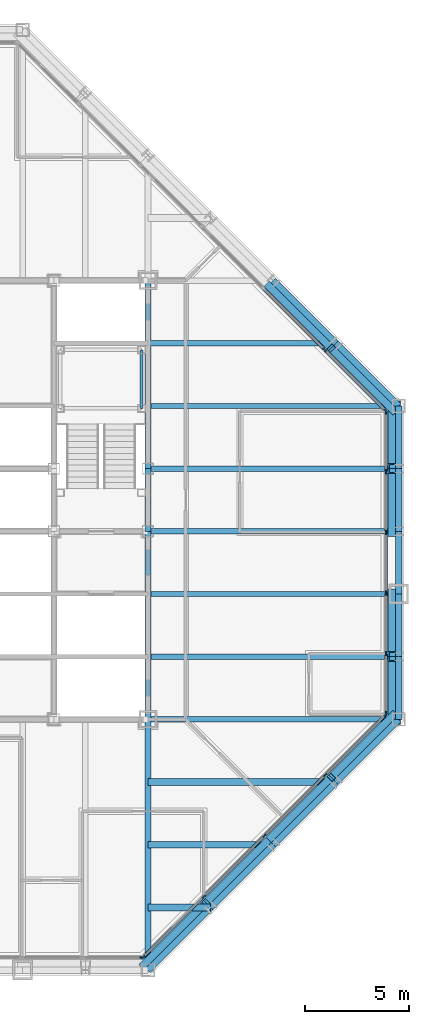
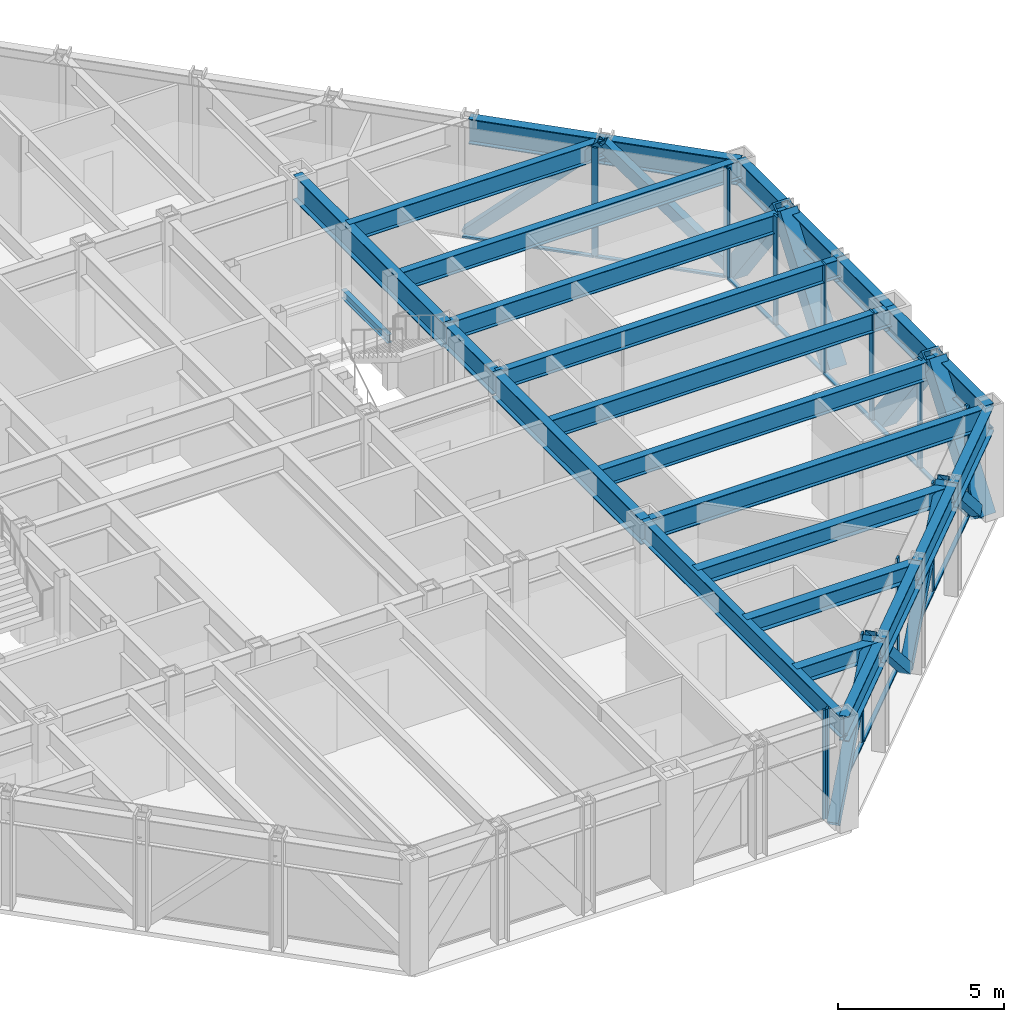
# One storey, part 7 of 16: 35 members, 26 beams, 4 elements without a shape of their own.
"""IFC4 building model written with IfcOpenShell, lengths in metres."""

from ifc_helpers import new_model, si_unit, direction, frame, origin, origin_2d, place, context, subcontext, project, spatial, rectangle, hollow_rectangle, i_section, extrude, material, layer, layer_set, material_profile, profile_set, type_object, element, aggregate, save


model = new_model("IFC4")

# Units and contexts
model_context = context("Model", 3, precision=1e-05, world=origin(), true_north=direction((0.0, 1.0)))
body_context = subcontext(model_context, "Body", "Model", "MODEL_VIEW")
ifc_project = project(units=[si_unit("LENGTHUNIT", "METRE"), si_unit("AREAUNIT", "SQUARE_METRE"), si_unit("VOLUMEUNIT", "CUBIC_METRE"), si_unit("PLANEANGLEUNIT", "RADIAN"), si_unit("MASSUNIT", "GRAM", prefix="KILO")], contexts=[model_context])

# Site, building, storey
site_placement = place(None, origin())
site = spatial("IfcSite", under=ifc_project, at=site_placement, CompositionType="ELEMENT")
building_placement = place(site_placement, origin())
building = spatial("IfcBuilding", under=site, at=building_placement, Name="Chuquiago Exchange Tower", CompositionType="ELEMENT")
storey_placement = place(building_placement, frame((0.0, 0.0, 239.10009765625)))
storey = spatial("IfcBuildingStorey", under=building, at=storey_placement, Name="L53", CompositionType="ELEMENT", Elevation=239.10009765625)

# Beams
ifc_material_1 = material(Name="Steel ASTM A992", Category="steel")
ifc_material_profile_1 = material_profile(ifc_material_1, i_section(OverallWidth=0.25390625, OverallDepth=0.683349609375, WebThickness=0.012451171875, FlangeThickness=0.018798828125, at=origin_2d()), Name="W27X94")
ifc_profile_set_1 = profile_set([ifc_material_profile_1], Name="Steel ASTM A992")
beam_type_1 = type_object("IfcBeamType", Name="B1 W27X94", PredefinedType="BEAM", material=ifc_profile_set_1)
for number, where, z_axis, x_axis, name in (
    (1, (33.0, 15.0, 3.6982421875), (1.0, 0.0, 0.0), (0.0, 1.0, 0.0), "FB-L54-infill-33_15-45_15-0"),
    (2, (33.0, 18.0, 3.6982421875), (1.0, 0.0, 0.0), (0.0, 1.0, 0.0), "FB-L54-infill-33_18-45_18-0"),
    (3, (33.0, 21.0, 3.6982421875), (1.0, 0.0, 0.0), (0.0, 1.0, 0.0), "FB-L54-infill-33_21-45_21-0"),
    (4, (33.0, 24.0, 3.6982421875), (1.0, 0.0, 0.0), (0.0, 1.0, 0.0), "FB-L54-infill-33_24-45_24-0"),
    (5, (33.0, 27.0, 3.6982421875), (1.0, 0.0, 0.0), (0.0, 1.0, 0.0), "FB-L54-infill-33_27-45_27-0"),
):
    element("IfcBeam", number, at=place(storey_placement, frame(where, z_axis=z_axis, x_axis=x_axis)), inside=storey, type_object=beam_type_1, Name=name, PredefinedType="BEAM", context=body_context, shape_type="SweptSolid", body=[
        extrude(i_section(OverallWidth=0.25390625, OverallDepth=0.683349609375, WebThickness=0.012451171875, FlangeThickness=0.018798828125, at=origin_2d()), origin(), (0.0, 0.0, 1.0), 12.0),
    ])
beam_1_placement = place(storey_placement, frame((33.0, 30.0, 3.6982421875), z_axis=(1.0, 0.0, 0.0), x_axis=(0.0, 1.0, 0.0)))
element("IfcBeam", 6, at=beam_1_placement, inside=storey, type_object=beam_type_1, Name="FB-L54-infill-33_30-42_30-0", PredefinedType="BEAM", context=body_context, shape_type="SweptSolid", body=[
    extrude(i_section(OverallWidth=0.25390625, OverallDepth=0.683349609375, WebThickness=0.012451171875, FlangeThickness=0.018798828125, at=origin_2d()), origin(), (0.0, 0.0, 1.0), 9.0),
])
ifc_material_2 = material(Name="Steel ASTM A992", Category="steel")
ifc_material_profile_2 = material_profile(ifc_material_2, i_section(OverallWidth=0.307373046875, OverallDepth=0.927001953125, WebThickness=0.01953125, FlangeThickness=0.031982421875, at=origin_2d()), Name="W36X194")
ifc_profile_set_2 = profile_set([ifc_material_profile_2], Name="Steel ASTM A992")
beam_type_2 = type_object("IfcBeamType", Name="B10 W36X194", PredefinedType="BEAM", material=ifc_profile_set_2)
for number, where, z_axis, x_axis, name in (
    (7, (33.0, 12.0, 3.576416015625), (0.0, 1.0, 0.0), (-1.0, 0.0, 0.0), "CB-L54-33_12-33_21"),
    (8, (33.0, 24.0, 3.576416015625), (0.0, 1.0, 0.0), (-1.0, 0.0, 0.0), "CB-L54-33_24-33_33"),
):
    element("IfcBeam", number, at=place(storey_placement, frame(where, z_axis=z_axis, x_axis=x_axis)), inside=storey, type_object=beam_type_2, Name=name, PredefinedType="BEAM", context=body_context, shape_type="SweptSolid", body=[
        extrude(i_section(OverallWidth=0.307373046875, OverallDepth=0.927001953125, WebThickness=0.01953125, FlangeThickness=0.031982421875, at=origin_2d()), origin(), (0.0, 0.0, 1.0), 9.0),
    ])
ifc_material_3 = material(Name="Steel ASTM A992", Category="steel")
ifc_material_profile_3 = material_profile(ifc_material_3, i_section(OverallWidth=0.3251953125, OverallDepth=0.612060546875, WebThickness=0.0126953125, FlangeThickness=0.01904296875, at=origin_2d()), Name="W24X104")
ifc_profile_set_3 = profile_set([ifc_material_profile_3], Name="Steel ASTM A992")
beam_type_3 = type_object("IfcBeamType", Name="B2 W24X104", PredefinedType="BEAM", material=ifc_profile_set_3)
beam_2_placement = place(storey_placement, frame((33.0, 3.0, 3.73388671875), z_axis=(1.0, 0.0, 0.0), x_axis=(0.0, 1.0, 0.0)))
element("IfcBeam", 9, at=beam_2_placement, inside=storey, type_object=beam_type_3, Name="FB-L54-corner-33_3-36_3-0", PredefinedType="BEAM", context=body_context, shape_type="SweptSolid", body=[
    extrude(i_section(OverallWidth=0.3251953125, OverallDepth=0.612060546875, WebThickness=0.0126953125, FlangeThickness=0.01904296875, at=origin_2d()), origin(), (0.0, 0.0, 1.0), 3.0),
])
beam_3_placement = place(storey_placement, frame((33.0, 6.0, 3.73388671875), z_axis=(1.0, 0.0, 0.0), x_axis=(0.0, 1.0, 0.0)))
element("IfcBeam", 10, at=beam_3_placement, inside=storey, type_object=beam_type_3, Name="FB-L54-corner-33_6-39_6-0", PredefinedType="BEAM", context=body_context, shape_type="SweptSolid", body=[
    extrude(i_section(OverallWidth=0.3251953125, OverallDepth=0.612060546875, WebThickness=0.0126953125, FlangeThickness=0.01904296875, at=origin_2d()), origin(), (0.0, 0.0, 1.0), 6.0),
])
beam_4_placement = place(storey_placement, frame((33.0, 9.0, 3.73388671875), z_axis=(1.0, 0.0, 0.0), x_axis=(0.0, 1.0, 0.0)))
element("IfcBeam", 11, at=beam_4_placement, inside=storey, type_object=beam_type_3, Name="FB-L54-corner-33_9-42_9-0", PredefinedType="BEAM", context=body_context, shape_type="SweptSolid", body=[
    extrude(i_section(OverallWidth=0.3251953125, OverallDepth=0.612060546875, WebThickness=0.0126953125, FlangeThickness=0.01904296875, at=origin_2d()), origin(), (0.0, 0.0, 1.0), 9.0),
])
ifc_material_4 = material(Name="Steel ASTM A992", Category="steel")
ifc_material_profile_4 = material_profile(ifc_material_4, i_section(OverallWidth=0.2919921875, OverallDepth=0.8583984375, WebThickness=0.01708984375, FlangeThickness=0.031005859375, at=origin_2d()), Name="W33X169")
ifc_profile_set_4 = profile_set([ifc_material_profile_4], Name="Steel ASTM A992")
beam_type_4 = type_object("IfcBeamType", Name="B3 W33X169", PredefinedType="BEAM", material=ifc_profile_set_4)
beam_5_placement = place(storey_placement, frame((33.0, 21.0, 3.610595703125), z_axis=(0.0, 1.0, 0.0), x_axis=(-1.0, 0.0, 0.0)))
element("IfcBeam", 12, at=beam_5_placement, inside=storey, type_object=beam_type_4, Name="CB-L54-33_21-33_24", PredefinedType="BEAM", context=body_context, shape_type="SweptSolid", body=[
    extrude(i_section(OverallWidth=0.2919921875, OverallDepth=0.8583984375, WebThickness=0.01708984375, FlangeThickness=0.031005859375, at=origin_2d()), origin(), (0.0, 0.0, 1.0), 3.0),
])

# Curtain wall, member
ifc_material_5 = material(Name="Aluminium curtain wall system", Category="aluminium")
ifc_layer_1 = layer(ifc_material_5, 0.22509765625)
ifc_layer_set_1 = layer_set([ifc_layer_1], Name="CW2 office curtain wall")
curtain_wall_type_1 = type_object("IfcCurtainWallType", Name="CW2 office curtain wall", PredefinedType="NOTDEFINED", material=ifc_layer_set_1)
curtain_wall_1_placement = place(storey_placement, origin())
curtain_wall_1 = element("IfcCurtainWall", 13, at=curtain_wall_1_placement, inside=storey, type_object=curtain_wall_type_1, Name="CW2 curtain wall L53", PredefinedType="NOTDEFINED")
ifc_material_6 = material(Name="Aluminium mullion, pale anodised", Category="aluminium")
ifc_material_profile_5 = material_profile(ifc_material_6, rectangle(XDim=0.06494140625, YDim=0.22509765625, at=origin_2d()), Name="AL 65x225")
ifc_profile_set_5 = profile_set([ifc_material_profile_5], Name="Aluminium mullion, pale anodised")
member_type_1 = type_object("IfcMemberType", Name="CW2-M mullion 65x225", PredefinedType="MULLION", material=ifc_profile_set_5)
member_1_placement = place(storey_placement, frame((32.718994140625, 0.60009765625, 0.0), z_axis=(0.0, 0.0, 1.0), x_axis=(0.0, 1.0, 0.0)))
member_1 = element("IfcMember", 14, at=member_1_placement, type_object=member_type_1, Name="CW2 mullion 6", PredefinedType="MULLION", context=body_context, shape_type="SweptSolid", body=[
    extrude(rectangle(XDim=0.06494140625, YDim=0.22509765625, at=origin_2d()), origin(), (0.0, 0.0, 1.0), 4.039794921875),
])
aggregate(curtain_wall_1, [member_1])

# Curtain wall, members
curtain_wall_2_placement = place(storey_placement, origin())
curtain_wall_2 = element("IfcCurtainWall", 15, at=curtain_wall_2_placement, inside=storey, type_object=curtain_wall_type_1, Name="CW2 curtain wall L53", PredefinedType="NOTDEFINED")
member_2_placement = place(storey_placement, frame((44.39990234375, 12.281005859375, 0.0), z_axis=(0.0, 0.0, 1.0), x_axis=(-1.0, 0.0, 0.0)))
member_2 = element("IfcMember", 16, at=member_2_placement, type_object=member_type_1, Name="CW2 mullion 1", PredefinedType="MULLION", context=body_context, shape_type="SweptSolid", body=[
    extrude(rectangle(XDim=0.06494140625, YDim=0.22509765625, at=origin_2d()), origin(), (0.0, 0.0, 1.0), 4.039794921875),
])
member_3_placement = place(storey_placement, frame((44.39990234375, 15.149169921875, 0.0), z_axis=(0.0, 0.0, 1.0), x_axis=(-1.0, 0.0, 0.0)))
member_3 = element("IfcMember", 17, at=member_3_placement, type_object=member_type_1, Name="CW2 mullion 2", PredefinedType="MULLION", context=body_context, shape_type="SweptSolid", body=[
    extrude(rectangle(XDim=0.06494140625, YDim=0.22509765625, at=origin_2d()), origin(), (0.0, 0.0, 1.0), 4.039794921875),
])
member_4_placement = place(storey_placement, frame((44.39990234375, 18.0498046875, 0.0), z_axis=(0.0, 0.0, 1.0), x_axis=(-1.0, 0.0, 0.0)))
member_4 = element("IfcMember", 18, at=member_4_placement, type_object=member_type_1, Name="CW2 mullion 3", PredefinedType="MULLION", context=body_context, shape_type="SweptSolid", body=[
    extrude(rectangle(XDim=0.06494140625, YDim=0.22509765625, at=origin_2d()), origin(), (0.0, 0.0, 1.0), 4.039794921875),
])
member_5_placement = place(storey_placement, frame((44.39990234375, 20.9501953125, 0.0), z_axis=(0.0, 0.0, 1.0), x_axis=(-1.0, 0.0, 0.0)))
member_5 = element("IfcMember", 19, at=member_5_placement, type_object=member_type_1, Name="CW2 mullion 4", PredefinedType="MULLION", context=body_context, shape_type="SweptSolid", body=[
    extrude(rectangle(XDim=0.06494140625, YDim=0.22509765625, at=origin_2d()), origin(), (0.0, 0.0, 1.0), 4.039794921875),
])
member_6_placement = place(storey_placement, frame((44.39990234375, 23.850830078125, 0.0), z_axis=(0.0, 0.0, 1.0), x_axis=(-1.0, 0.0, 0.0)))
member_6 = element("IfcMember", 20, at=member_6_placement, type_object=member_type_1, Name="CW2 mullion 5", PredefinedType="MULLION", context=body_context, shape_type="SweptSolid", body=[
    extrude(rectangle(XDim=0.06494140625, YDim=0.22509765625, at=origin_2d()), origin(), (0.0, 0.0, 1.0), 4.039794921875),
])
member_7_placement = place(storey_placement, frame((44.39990234375, 26.718994140625, 0.0), z_axis=(0.0, 0.0, 1.0), x_axis=(-1.0, 0.0, 0.0)))
member_7 = element("IfcMember", 21, at=member_7_placement, type_object=member_type_1, Name="CW2 mullion 6", PredefinedType="MULLION", context=body_context, shape_type="SweptSolid", body=[
    extrude(rectangle(XDim=0.06494140625, YDim=0.22509765625, at=origin_2d()), origin(), (0.0, 0.0, 1.0), 4.039794921875),
])
ifc_material_7 = material(Name="Aluminium transom, pale anodised", Category="aluminium")
ifc_material_profile_6 = material_profile(ifc_material_7, rectangle(XDim=0.139892578125, YDim=0.06494140625, at=origin_2d()), Name="AL 140x65")
ifc_profile_set_6 = profile_set([ifc_material_profile_6], Name="Aluminium transom, pale anodised")
member_type_2 = type_object("IfcMemberType", Name="CW2-T transom 65x140", PredefinedType="MULLION", material=ifc_profile_set_6)
member_8_placement = place(storey_placement, frame((44.39990234375, 12.3134765625, 0.032470703125), z_axis=(0.0, 1.0, 0.0), x_axis=(-1.0, 0.0, 0.0)))
member_8 = element("IfcMember", 22, at=member_8_placement, type_object=member_type_2, Name="CW2 transom 1.1", PredefinedType="MULLION", context=body_context, shape_type="SweptSolid", body=[
    extrude(rectangle(XDim=0.139892578125, YDim=0.06494140625, at=origin_2d()), origin(), (0.0, 0.0, 1.0), 2.80322265625),
])
member_9_placement = place(storey_placement, frame((44.39990234375, 15.181640625, 0.032470703125), z_axis=(0.0, 1.0, 0.0), x_axis=(-1.0, 0.0, 0.0)))
member_9 = element("IfcMember", 23, at=member_9_placement, type_object=member_type_2, Name="CW2 transom 2.1", PredefinedType="MULLION", context=body_context, shape_type="SweptSolid", body=[
    extrude(rectangle(XDim=0.139892578125, YDim=0.06494140625, at=origin_2d()), origin(), (0.0, 0.0, 1.0), 2.83544921875),
])
member_10_placement = place(storey_placement, frame((44.39990234375, 18.082275390625, 0.032470703125), z_axis=(0.0, 1.0, 0.0), x_axis=(-1.0, 0.0, 0.0)))
member_10 = element("IfcMember", 24, at=member_10_placement, type_object=member_type_2, Name="CW2 transom 3.1", PredefinedType="MULLION", context=body_context, shape_type="SweptSolid", body=[
    extrude(rectangle(XDim=0.139892578125, YDim=0.06494140625, at=origin_2d()), origin(), (0.0, 0.0, 1.0), 2.83544921875),
])
member_11_placement = place(storey_placement, frame((44.39990234375, 20.98291015625, 0.032470703125), z_axis=(0.0, 1.0, 0.0), x_axis=(-1.0, 0.0, 0.0)))
member_11 = element("IfcMember", 25, at=member_11_placement, type_object=member_type_2, Name="CW2 transom 4.1", PredefinedType="MULLION", context=body_context, shape_type="SweptSolid", body=[
    extrude(rectangle(XDim=0.139892578125, YDim=0.06494140625, at=origin_2d()), origin(), (0.0, 0.0, 1.0), 2.83544921875),
])
member_12_placement = place(storey_placement, frame((44.39990234375, 23.88330078125, 0.032470703125), z_axis=(0.0, 1.0, 0.0), x_axis=(-1.0, 0.0, 0.0)))
member_12 = element("IfcMember", 26, at=member_12_placement, type_object=member_type_2, Name="CW2 transom 5.1", PredefinedType="MULLION", context=body_context, shape_type="SweptSolid", body=[
    extrude(rectangle(XDim=0.139892578125, YDim=0.06494140625, at=origin_2d()), origin(), (0.0, 0.0, 1.0), 2.80322265625),
])
aggregate(curtain_wall_2, [member_2, member_3, member_4, member_5, member_6, member_7, member_8, member_9, member_10, member_11, member_12])

ifc_material_8 = material(Name="Aluminium curtain wall system", Category="aluminium")
ifc_layer_2 = layer(ifc_material_8, 0.199951171875)
ifc_layer_set_2 = layer_set([ifc_layer_2], Name="CW3 facet curtain wall")
curtain_wall_type_2 = type_object("IfcCurtainWallType", Name="CW3 facet curtain wall", PredefinedType="NOTDEFINED", material=ifc_layer_set_2)
curtain_wall_3_placement = place(storey_placement, origin())
curtain_wall_3 = element("IfcCurtainWall", 27, at=curtain_wall_3_placement, inside=storey, type_object=curtain_wall_type_2, Name="CW3 curtain wall L53", PredefinedType="NOTDEFINED")
ifc_material_9 = material(Name="Aluminium mullion, pale anodised", Category="aluminium")
ifc_material_profile_7 = material_profile(ifc_material_9, rectangle(XDim=0.06494140625, YDim=0.199951171875, at=origin_2d()), Name="AL 65x200")
ifc_profile_set_7 = profile_set([ifc_material_profile_7], Name="Aluminium mullion, pale anodised")
member_type_3 = type_object("IfcMemberType", Name="CW3-M mullion 65x200", PredefinedType="MULLION", material=ifc_profile_set_7)
member_13_placement = place(storey_placement, frame((32.7744140625, 0.623046875, 0.0), z_axis=(0.0, 0.0, 1.0), x_axis=(-0.707106781187, 0.707106781187, 0.0)))
member_13 = element("IfcMember", 28, at=member_13_placement, type_object=member_type_3, Name="CW3 mullion 1", PredefinedType="MULLION", context=body_context, shape_type="SweptSolid", body=[
    extrude(rectangle(XDim=0.06494140625, YDim=0.199951171875, at=origin_2d()), origin(), (0.0, 0.0, 1.0), 4.039794921875),
])
member_14_placement = place(storey_placement, frame((35.66357421875, 3.51220703125, 0.0), z_axis=(0.0, 0.0, 1.0), x_axis=(-0.707106781187, 0.707106781187, 0.0)))
member_14 = element("IfcMember", 29, at=member_14_placement, type_object=member_type_3, Name="CW3 mullion 2", PredefinedType="MULLION", context=body_context, shape_type="SweptSolid", body=[
    extrude(rectangle(XDim=0.06494140625, YDim=0.199951171875, at=origin_2d()), origin(), (0.0, 0.0, 1.0), 4.039794921875),
])
member_15_placement = place(storey_placement, frame((38.57568359375, 6.42431640625, 0.0), z_axis=(0.0, 0.0, 1.0), x_axis=(-0.707106781187, 0.707106781187, 0.0)))
member_15 = element("IfcMember", 30, at=member_15_placement, type_object=member_type_3, Name="CW3 mullion 3", PredefinedType="MULLION", context=body_context, shape_type="SweptSolid", body=[
    extrude(rectangle(XDim=0.06494140625, YDim=0.199951171875, at=origin_2d()), origin(), (0.0, 0.0, 1.0), 4.039794921875),
])
member_16_placement = place(storey_placement, frame((41.48779296875, 9.33642578125, 0.0), z_axis=(0.0, 0.0, 1.0), x_axis=(-0.707106781187, 0.707106781187, 0.0)))
member_16 = element("IfcMember", 31, at=member_16_placement, type_object=member_type_3, Name="CW3 mullion 4", PredefinedType="MULLION", context=body_context, shape_type="SweptSolid", body=[
    extrude(rectangle(XDim=0.06494140625, YDim=0.199951171875, at=origin_2d()), origin(), (0.0, 0.0, 1.0), 4.039794921875),
])
member_17_placement = place(storey_placement, frame((44.376953125, 12.2255859375, 0.0), z_axis=(0.0, 0.0, 1.0), x_axis=(-0.707106781187, 0.707106781187, 0.0)))
member_17 = element("IfcMember", 32, at=member_17_placement, type_object=member_type_3, Name="CW3 mullion 5", PredefinedType="MULLION", context=body_context, shape_type="SweptSolid", body=[
    extrude(rectangle(XDim=0.06494140625, YDim=0.199951171875, at=origin_2d()), origin(), (0.0, 0.0, 1.0), 4.039794921875),
])

curtain_wall_4_placement = place(storey_placement, origin())
curtain_wall_4 = element("IfcCurtainWall", 33, at=curtain_wall_4_placement, inside=storey, type_object=curtain_wall_type_2, Name="CW3 curtain wall L53", PredefinedType="NOTDEFINED")
member_18_placement = place(storey_placement, frame((44.376953125, 26.7744140625, 0.0), z_axis=(0.0, 0.0, 1.0), x_axis=(-0.707106781187, -0.707106781187, 0.0)))
member_18 = element("IfcMember", 34, at=member_18_placement, type_object=member_type_3, Name="CW3 mullion 1", PredefinedType="MULLION", context=body_context, shape_type="SweptSolid", body=[
    extrude(rectangle(XDim=0.06494140625, YDim=0.199951171875, at=origin_2d()), origin(), (0.0, 0.0, 1.0), 4.039794921875),
])
member_19_placement = place(storey_placement, frame((41.45849609375, 29.69287109375, 0.0), z_axis=(0.0, 0.0, 1.0), x_axis=(-0.707106781187, -0.707106781187, 0.0)))
member_19 = element("IfcMember", 35, at=member_19_placement, type_object=member_type_3, Name="CW3 mullion 2", PredefinedType="MULLION", context=body_context, shape_type="SweptSolid", body=[
    extrude(rectangle(XDim=0.06494140625, YDim=0.199951171875, at=origin_2d()), origin(), (0.0, 0.0, 1.0), 4.039794921875),
])

# Member
ifc_material_10 = material(Name="Aluminium transom, pale anodised", Category="aluminium")
ifc_material_profile_8 = material_profile(ifc_material_10, rectangle(XDim=0.139892578125, YDim=0.06494140625, at=origin_2d()), Name="AL 140x65")
ifc_profile_set_8 = profile_set([ifc_material_profile_8], Name="Aluminium transom, pale anodised")
member_type_4 = type_object("IfcMemberType", Name="CW3-T transom 65x140", PredefinedType="MULLION", material=ifc_profile_set_8)
member_20_placement = place(storey_placement, frame((32.79736328125, 0.64599609375, 0.032470703125), z_axis=(0.707106781187, 0.707106781187, 0.0), x_axis=(-0.707106781187, 0.707106781187, 0.0)))
member_20 = element("IfcMember", 36, at=member_20_placement, type_object=member_type_4, Name="CW3 transom 1.1", PredefinedType="MULLION", context=body_context, shape_type="SweptSolid", body=[
    extrude(rectangle(XDim=0.139892578125, YDim=0.06494140625, at=origin_2d()), origin(), (0.0, 0.0, 1.0), 4.02099609375),
])

member_21_placement = place(storey_placement, frame((35.6865234375, 3.53515625, 0.032470703125), z_axis=(0.707106781187, 0.707106781187, 0.0), x_axis=(-0.707106781187, 0.707106781187, 0.0)))
member_21 = element("IfcMember", 37, at=member_21_placement, type_object=member_type_4, Name="CW3 transom 2.1", PredefinedType="MULLION", context=body_context, shape_type="SweptSolid", body=[
    extrude(rectangle(XDim=0.139892578125, YDim=0.06494140625, at=origin_2d()), origin(), (0.0, 0.0, 1.0), 4.053466796875),
])

member_22_placement = place(storey_placement, frame((38.5986328125, 6.447265625, 0.032470703125), z_axis=(0.707106781187, 0.707106781187, 0.0), x_axis=(-0.707106781187, 0.707106781187, 0.0)))
member_22 = element("IfcMember", 38, at=member_22_placement, type_object=member_type_4, Name="CW3 transom 3.1", PredefinedType="MULLION", context=body_context, shape_type="SweptSolid", body=[
    extrude(rectangle(XDim=0.139892578125, YDim=0.06494140625, at=origin_2d()), origin(), (0.0, 0.0, 1.0), 4.053466796875),
])

member_23_placement = place(storey_placement, frame((41.5107421875, 9.359375, 0.032470703125), z_axis=(0.707106781187, 0.707106781187, 0.0), x_axis=(-0.707106781187, 0.707106781187, 0.0)))
member_23 = element("IfcMember", 39, at=member_23_placement, type_object=member_type_4, Name="CW3 transom 4.1", PredefinedType="MULLION", context=body_context, shape_type="SweptSolid", body=[
    extrude(rectangle(XDim=0.139892578125, YDim=0.06494140625, at=origin_2d()), origin(), (0.0, 0.0, 1.0), 4.02099609375),
])

aggregate(curtain_wall_3, [member_13, member_14, member_15, member_16, member_17, member_20, member_21, member_22, member_23])

member_24_placement = place(storey_placement, frame((44.35400390625, 26.79736328125, 0.032470703125), z_axis=(-0.707106781187, 0.707106781187, 0.0), x_axis=(-0.707106781187, -0.707106781187, 0.0)))
member_24 = element("IfcMember", 40, at=member_24_placement, type_object=member_type_4, Name="CW3 transom 1.1", PredefinedType="MULLION", context=body_context, shape_type="SweptSolid", body=[
    extrude(rectangle(XDim=0.139892578125, YDim=0.06494140625, at=origin_2d()), origin(), (0.0, 0.0, 1.0), 4.0625),
])

member_25_placement = place(storey_placement, frame((41.435546875, 29.7158203125, 0.032470703125), z_axis=(-0.707106781187, 0.707106781187, 0.0), x_axis=(-0.707106781187, -0.707106781187, 0.0)))
member_25 = element("IfcMember", 41, at=member_25_placement, type_object=member_type_4, Name="CW3 transom 2.1", PredefinedType="MULLION", context=body_context, shape_type="SweptSolid", body=[
    extrude(rectangle(XDim=0.139892578125, YDim=0.06494140625, at=origin_2d()), origin(), (0.0, 0.0, 1.0), 4.094970703125),
])

aggregate(curtain_wall_4, [member_18, member_19, member_24, member_25])

# Beams
ifc_material_11 = material(Name="Steel ASTM A992", Category="steel")
ifc_material_profile_9 = material_profile(ifc_material_11, i_section(OverallWidth=0.2666015625, OverallDepth=0.76953125, WebThickness=0.015625, FlangeThickness=0.025390625, at=origin_2d()), Name="W30X132")
ifc_profile_set_9 = profile_set([ifc_material_profile_9], Name="Steel ASTM A992")
beam_type_5 = type_object("IfcBeamType", Name="G1 W30X132", PredefinedType="BEAM", material=ifc_profile_set_9)
for number, where, z_axis, x_axis, name in (
    (42, (33.0, 12.0, 3.655029296875), (0.0, -1.0, 0.0), (1.0, 0.0, 0.0), "FB-L54-girder-33_12-33_-0-0"),
    (43, (33.0, 12.0, 3.655029296875), (1.0, 0.0, 0.0), (0.0, 1.0, 0.0), "FB-L54-girder-33_12-45_12-0"),
):
    element("IfcBeam", number, at=place(storey_placement, frame(where, z_axis=z_axis, x_axis=x_axis)), inside=storey, type_object=beam_type_5, Name=name, PredefinedType="BEAM", context=body_context, shape_type="SweptSolid", body=[
        extrude(i_section(OverallWidth=0.2666015625, OverallDepth=0.76953125, WebThickness=0.015625, FlangeThickness=0.025390625, at=origin_2d()), origin(), (0.0, 0.0, 1.0), 12.0),
    ])

# Members
ifc_material_12 = material(Name="Steel ASTM A500 Grade C", Category="steel")
ifc_material_profile_10 = material_profile(ifc_material_12, hollow_rectangle(XDim=0.355712890625, YDim=0.355712890625, WallThickness=0.0146484375, at=origin_2d()), Name="HSS14X14X5/8")
ifc_profile_set_10 = profile_set([ifc_material_profile_10], Name="Steel ASTM A500 Grade C")
member_type_5 = type_object("IfcMemberType", Name="LB2 HSS14X14X5/8", PredefinedType="BRACE", material=ifc_profile_set_10)
for number, where, z_axis, x_axis, name in (
    (44, (32.7685546875, 0.2314453125, 0.0), (0.51209198167, 0.51209198167, 0.689582195694), (-0.707106781187, 0.707106781187, 0.0), "LB-L53-33_0-36_3"),
    (45, (38.7685546875, 6.2314453125, 0.0), (-0.51209198167, -0.51209198167, 0.689582195694), (0.707106781187, -0.707106781187, 0.0), "LB-L53-36_3-39_6"),
    (46, (38.7685546875, 6.2314453125, 0.0), (0.51209198167, 0.51209198167, 0.689582195694), (-0.707106781187, 0.707106781187, 0.0), "LB-L53-39_6-42_9"),
    (47, (44.7685546875, 12.2314453125, 0.0), (-0.51209198167, -0.51209198167, 0.689582195694), (0.707106781187, -0.707106781187, 0.0), "LB-L53-42_9-45_12"),
    (48, (44.7685546875, 26.7685546875, 0.0), (-0.51209198167, 0.51209198167, 0.689582195694), (-0.707106781187, -0.707106781187, 0.0), "LB-L53-45_27-42_30"),
    (49, (38.7685546875, 32.7685546875, 0.0), (0.51209198167, -0.51209198167, 0.689582195694), (0.707106781187, 0.707106781187, 0.0), "LB-L53-42_30-39_33"),
):
    element("IfcMember", number, at=place(storey_placement, frame(where, z_axis=z_axis, x_axis=x_axis)), inside=storey, type_object=member_type_5, Name=name, PredefinedType="BRACE", context=body_context, shape_type="SweptSolid", body=[
        extrude(hollow_rectangle(XDim=0.355712890625, YDim=0.355712890625, WallThickness=0.0146484375, at=origin_2d()), origin(), (0.0, 0.0, 1.0), 5.8583984375),
    ])

# Beam
ifc_material_13 = material(Name="Steel ASTM A992", Category="steel")
ifc_material_profile_11 = material_profile(ifc_material_13, i_section(OverallWidth=0.164794921875, OverallDepth=0.309814453125, WebThickness=0.005859375, FlangeThickness=0.009765625, at=origin_2d()), Name="W12X26")
ifc_profile_set_11 = profile_set([ifc_material_profile_11], Name="Steel ASTM A992")
beam_type_6 = type_object("IfcBeamType", Name="LS1 W12X26", PredefinedType="BEAM", material=ifc_profile_set_11)
beam_6_placement = place(storey_placement, frame((32.68994140625, 26.889892578125, 1.7451171875), z_axis=(0.0, 1.0, 0.0), x_axis=(-1.0, 0.0, 0.0)))
element("IfcBeam", 50, at=beam_6_placement, inside=storey, type_object=beam_type_6, Name="Stair ST2 L53 landing 1 stringer", PredefinedType="BEAM", context=body_context, shape_type="SweptSolid", body=[
    extrude(i_section(OverallWidth=0.164794921875, OverallDepth=0.309814453125, WebThickness=0.005859375, FlangeThickness=0.009765625, at=origin_2d()), origin(), (0.0, 0.0, 1.0), 2.800048828125),
])

# Members
ifc_material_14 = material(Name="Steel ASTM A572 Grade 50", Category="steel")
ifc_material_profile_12 = material_profile(ifc_material_14, hollow_rectangle(XDim=0.60009765625, YDim=0.60009765625, WallThickness=0.06005859375, at=origin_2d()), Name="BOX600X600X60")
ifc_profile_set_12 = profile_set([ifc_material_profile_12], Name="Steel ASTM A572 Grade 50")
member_type_6 = type_object("IfcMemberType", Name="MB3 BOX600X600X60", PredefinedType="BRACE", material=ifc_profile_set_12)
for number, where, z_axis, x_axis, name in (
    (51, (44.794921875, 12.0, 0.0), (0.0, 0.596197146086, 0.802838067732), (-1.0, 0.0, 0.0), "Mega diagonal L53 E face"),
    (52, (44.794921875, 18.0, 0.0), (0.0, -0.596197146086, 0.802838067732), (1.0, 0.0, 0.0), "Mega diagonal L53 E face"),
    (53, (44.794921875, 21.0, 0.0), (0.0, 0.596197146086, 0.802838067732), (-1.0, 0.0, 0.0), "Mega diagonal L53 E face"),
    (54, (44.794921875, 27.0, 0.0), (0.0, -0.596197146086, 0.802838067732), (1.0, 0.0, 0.0), "Mega diagonal L53 E face"),
):
    element("IfcMember", number, at=place(storey_placement, frame(where, z_axis=z_axis, x_axis=x_axis)), inside=storey, type_object=member_type_6, Name=name, PredefinedType="BRACE", context=body_context, shape_type="SweptSolid", body=[
        extrude(hollow_rectangle(XDim=0.60009765625, YDim=0.60009765625, WallThickness=0.06005859375, at=origin_2d()), origin(), (0.0, 0.0, 1.0), 5.031982421875),
    ])

# Beams
ifc_material_15 = material(Name="Steel ASTM A992", Category="steel")
ifc_material_profile_13 = material_profile(ifc_material_15, i_section(OverallWidth=0.307373046875, OverallDepth=0.927001953125, WebThickness=0.01953125, FlangeThickness=0.031982421875, at=origin_2d()), Name="W36X194")
ifc_profile_set_13 = profile_set([ifc_material_profile_13], Name="Steel ASTM A992")
beam_type_7 = type_object("IfcBeamType", Name="SP3 W36X194", PredefinedType="SPANDREL", material=ifc_profile_set_13)
for number, where, z_axis, x_axis, name in (
    (55, (33.0, 0.0, 3.576416015625), (0.707106781187, 0.707106781187, 0.0), (-0.707106781187, 0.707106781187, 0.0), "SPB-L54-33_0-36_3"),
    (56, (36.0, 3.0, 3.576416015625), (0.707106781187, 0.707106781187, 0.0), (-0.707106781187, 0.707106781187, 0.0), "SPB-L54-36_3-39_6"),
    (57, (39.0, 6.0, 3.576416015625), (0.707106781187, 0.707106781187, 0.0), (-0.707106781187, 0.707106781187, 0.0), "SPB-L54-39_6-42_9"),
    (58, (42.0, 9.0, 3.576416015625), (0.707106781187, 0.707106781187, 0.0), (-0.707106781187, 0.707106781187, 0.0), "SPB-L54-42_9-45_12"),
):
    element("IfcBeam", number, at=place(storey_placement, frame(where, z_axis=z_axis, x_axis=x_axis)), inside=storey, type_object=beam_type_7, Name=name, PredefinedType="SPANDREL", context=body_context, shape_type="SweptSolid", body=[
        extrude(i_section(OverallWidth=0.307373046875, OverallDepth=0.927001953125, WebThickness=0.01953125, FlangeThickness=0.031982421875, at=origin_2d()), origin(), (0.0, 0.0, 1.0), 4.24267578125),
    ])
for number, where, z_axis, x_axis, name in (
    (59, (45.0, 12.0, 3.576416015625), (0.0, 1.0, 0.0), (-1.0, 0.0, 0.0), "SPB-L54-45_12-45_15"),
    (60, (45.0, 15.0, 3.576416015625), (0.0, 1.0, 0.0), (-1.0, 0.0, 0.0), "SPB-L54-45_15-45_18"),
    (61, (45.0, 18.0, 3.576416015625), (0.0, 1.0, 0.0), (-1.0, 0.0, 0.0), "SPB-L54-45_18-45_21"),
    (62, (45.0, 21.0, 3.576416015625), (0.0, 1.0, 0.0), (-1.0, 0.0, 0.0), "SPB-L54-45_21-45_24"),
    (63, (45.0, 24.0, 3.576416015625), (0.0, 1.0, 0.0), (-1.0, 0.0, 0.0), "SPB-L54-45_24-45_27"),
):
    element("IfcBeam", number, at=place(storey_placement, frame(where, z_axis=z_axis, x_axis=x_axis)), inside=storey, type_object=beam_type_7, Name=name, PredefinedType="SPANDREL", context=body_context, shape_type="SweptSolid", body=[
        extrude(i_section(OverallWidth=0.307373046875, OverallDepth=0.927001953125, WebThickness=0.01953125, FlangeThickness=0.031982421875, at=origin_2d()), origin(), (0.0, 0.0, 1.0), 3.0),
    ])
for number, where, z_axis, x_axis, name in (
    (64, (45.0, 27.0, 3.576416015625), (-0.707106781187, 0.707106781187, 0.0), (-0.707106781187, -0.707106781187, 0.0), "SPB-L54-45_27-42_30"),
    (65, (42.0, 30.0, 3.576416015625), (-0.707106781187, 0.707106781187, 0.0), (-0.707106781187, -0.707106781187, 0.0), "SPB-L54-42_30-39_33"),
):
    element("IfcBeam", number, at=place(storey_placement, frame(where, z_axis=z_axis, x_axis=x_axis)), inside=storey, type_object=beam_type_7, Name=name, PredefinedType="SPANDREL", context=body_context, shape_type="SweptSolid", body=[
        extrude(i_section(OverallWidth=0.307373046875, OverallDepth=0.927001953125, WebThickness=0.01953125, FlangeThickness=0.031982421875, at=origin_2d()), origin(), (0.0, 0.0, 1.0), 4.24267578125),
    ])

save(model, "model.ifc")
